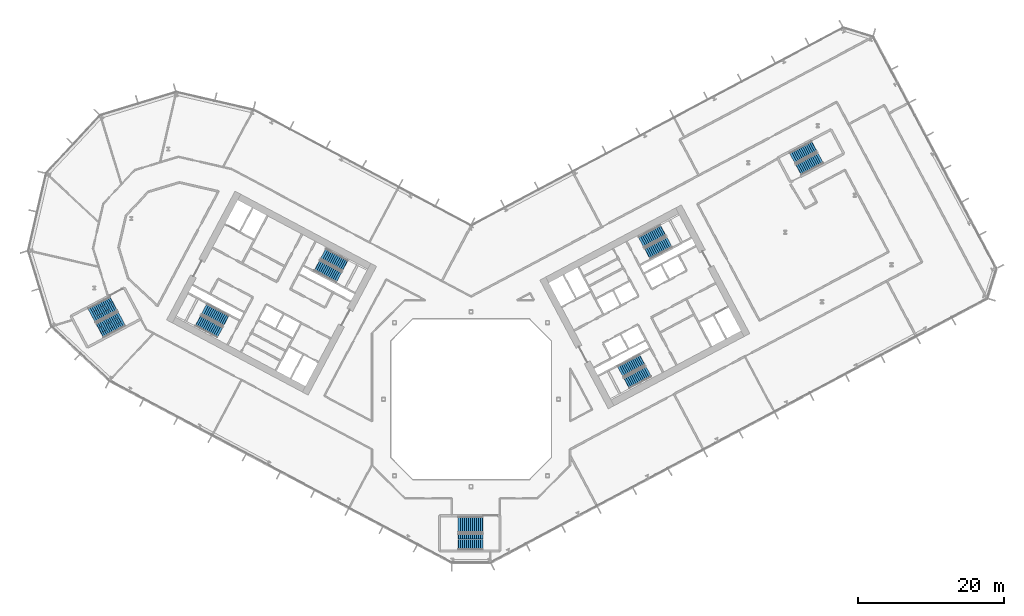
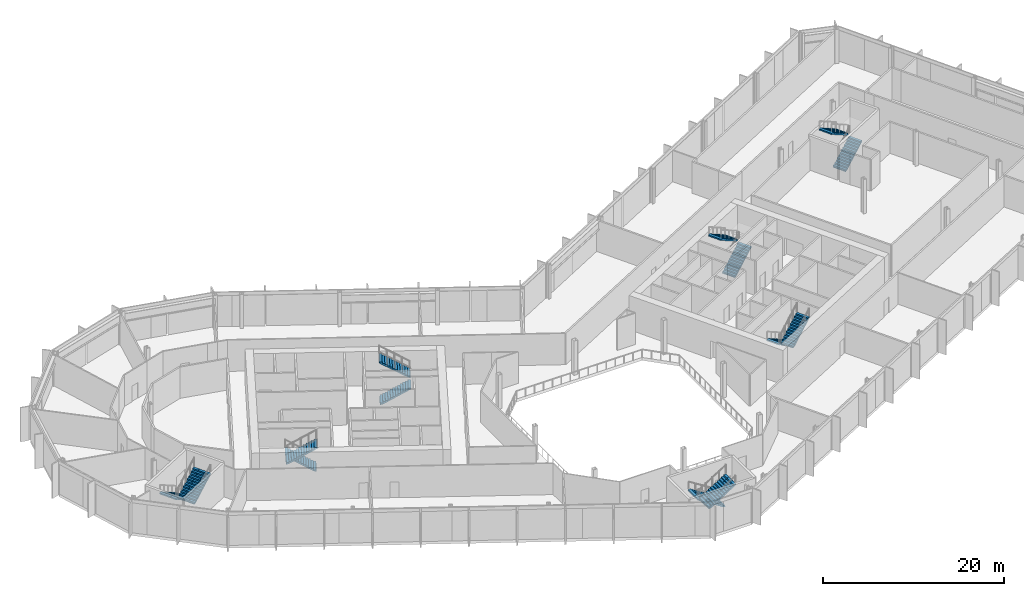
# One storey, part 19 of 30: 14 stair flights, 7 elements without a shape of their own.
"""IFC4 building model written with IfcOpenShell, lengths in metres."""

from ifc_helpers import new_model, si_unit, direction, frame, origin, place, context, subcontext, project, spatial, polyline, outline, extrude, material, type_object, element, aggregate, save


model = new_model("IFC4")

# Units and contexts
model_context = context("Model", 3, precision=1e-05, world=origin(), true_north=direction((0.0, 1.0)))
body_context = subcontext(model_context, "Body", "Model", "MODEL_VIEW")
ifc_project = project(units=[si_unit("LENGTHUNIT", "METRE"), si_unit("AREAUNIT", "SQUARE_METRE"), si_unit("VOLUMEUNIT", "CUBIC_METRE"), si_unit("PLANEANGLEUNIT", "RADIAN"), si_unit("MASSUNIT", "GRAM", prefix="KILO")], contexts=[model_context])

# Site, building, storey
site_placement = place(None, origin())
site = spatial("IfcSite", under=ifc_project, at=site_placement, CompositionType="ELEMENT")
building_placement = place(site_placement, origin())
building = spatial("IfcBuilding", under=site, at=building_placement, Name="Cormorant Relay Tower", CompositionType="ELEMENT")
storey_placement = place(building_placement, frame((0.0, 0.0, 80.0)))
storey = spatial("IfcBuildingStorey", under=building, at=storey_placement, Name="L15", CompositionType="ELEMENT", Elevation=80.0)

# Stair, stair flights
ifc_material_1 = material(Name="Concrete 40 MPa", Category="concrete")
stair_type_1 = type_object("IfcStairType", Name="Exit stair 1500", PredefinedType="HALF_TURN_STAIR", material=ifc_material_1)
stair_1_placement = place(storey_placement, origin())
stair_1 = element("IfcStair", 1, at=stair_1_placement, inside=storey, type_object=stair_type_1, Name="L15 Stair", PredefinedType="HALF_TURN_STAIR")
ifc_material_2 = material(Name="Concrete 40 MPa", Category="concrete")
stair_flight_type_1 = type_object("IfcStairFlightType", Name="Exit stair flight 1650", PredefinedType="STRAIGHT", material=ifc_material_2)
stair_flight_1_placement = place(storey_placement, frame((-21.114501953125, 18.33349609375, 0.0), z_axis=(0.0, 0.0, 1.0), x_axis=(0.882947592859, -0.469471562786, 0.0)))
stair_flight_1 = element("IfcStairFlight", 2, at=stair_flight_1_placement, type_object=stair_flight_type_1, Name="A1 flight 1", NumberOfRisers=13, NumberOfTreads=12, PredefinedType="STRAIGHT", RiserHeight=0.176923077, TreadLength=0.28, context=body_context, shape_type="SweptSolid", body=[
    extrude(outline(polyline([(-0.050048828125, -0.080078125), (-0.050048828125, 0.0), (0.0, 0.0), (0.0, 0.177001953125), (0.280029296875, 0.177001953125), (0.280029296875, 0.353759765625), (0.56005859375, 0.353759765625), (0.56005859375, 0.53076171875), (0.840087890625, 0.53076171875), (0.840087890625, 0.707763671875), (1.1201171875, 0.707763671875), (1.1201171875, 0.884521484375), (1.39990234375, 0.884521484375), (1.39990234375, 1.0615234375), (1.679931640625, 1.0615234375), (1.679931640625, 1.238525390625), (1.9599609375, 1.238525390625), (1.9599609375, 1.415283203125), (2.239990234375, 1.415283203125), (2.239990234375, 1.59228515625), (2.52001953125, 1.59228515625), (2.52001953125, 1.769287109375), (2.800048828125, 1.769287109375), (2.800048828125, 1.946044921875), (3.080078125, 1.946044921875), (3.080078125, 2.123046875), (3.360107421875, 2.123046875), (3.41015625, 2.123046875), (3.41015625, 1.94580078125), (3.360107421875, 1.94580078125), (0.280517578125, 0.0), (-0.050048828125, -0.080078125)])), frame((0.0, 0.824951171875, 0.0), z_axis=(0.0, -1.0, 0.0), x_axis=(1.0, 0.0, 0.0)), (0.0, 0.0, 1.0), 1.64990234375),
])
stair_flight_2_placement = place(storey_placement, frame((-17.302734375, 18.345458984375, 2.300048828125), z_axis=(0.0, 0.0, 1.0), x_axis=(-0.882947592859, 0.469471562786, 0.0)))
stair_flight_2 = element("IfcStairFlight", 3, at=stair_flight_2_placement, type_object=stair_flight_type_1, Name="A1 flight 2", NumberOfRisers=13, NumberOfTreads=12, PredefinedType="STRAIGHT", RiserHeight=0.176923077, TreadLength=0.28, context=body_context, shape_type="SweptSolid", body=[
    extrude(outline(polyline([(-0.050048828125, -0.080078125), (-0.050048828125, 0.0), (0.0, 0.0), (0.0, 0.177001953125), (0.280029296875, 0.177001953125), (0.280029296875, 0.353759765625), (0.56005859375, 0.353759765625), (0.56005859375, 0.53076171875), (0.840087890625, 0.53076171875), (0.840087890625, 0.707763671875), (1.1201171875, 0.707763671875), (1.1201171875, 0.884521484375), (1.39990234375, 0.884521484375), (1.39990234375, 1.0615234375), (1.679931640625, 1.0615234375), (1.679931640625, 1.238525390625), (1.9599609375, 1.238525390625), (1.9599609375, 1.415283203125), (2.239990234375, 1.415283203125), (2.239990234375, 1.59228515625), (2.52001953125, 1.59228515625), (2.52001953125, 1.769287109375), (2.800048828125, 1.769287109375), (2.800048828125, 1.946044921875), (3.080078125, 1.946044921875), (3.080078125, 2.123046875), (3.360107421875, 2.123046875), (3.41015625, 2.123046875), (3.41015625, 1.94580078125), (3.360107421875, 1.94580078125), (0.280517578125, 0.0), (-0.050048828125, -0.080078125)])), frame((0.0, 0.824951171875, 0.0), z_axis=(0.0, -1.0, 0.0), x_axis=(1.0, 0.0, 0.0)), (0.0, 0.0, 1.0), 1.64990234375),
])
aggregate(stair_1, [stair_flight_1, stair_flight_2])

stair_2_placement = place(storey_placement, origin())
stair_2 = element("IfcStair", 4, at=stair_2_placement, inside=storey, type_object=stair_type_1, Name="L15 Stair", PredefinedType="HALF_TURN_STAIR")
stair_flight_3_placement = place(storey_placement, frame((-33.62841796875, 10.773681640625, 0.0), z_axis=(0.0, 0.0, 1.0), x_axis=(-0.882947592859, 0.469471562786, 0.0)))
stair_flight_3 = element("IfcStairFlight", 5, at=stair_flight_3_placement, type_object=stair_flight_type_1, Name="A2 flight 1", NumberOfRisers=13, NumberOfTreads=12, PredefinedType="STRAIGHT", RiserHeight=0.176923077, TreadLength=0.28, context=body_context, shape_type="SweptSolid", body=[
    extrude(outline(polyline([(-0.050048828125, -0.080078125), (-0.050048828125, 0.0), (0.0, 0.0), (0.0, 0.177001953125), (0.280029296875, 0.177001953125), (0.280029296875, 0.353759765625), (0.56005859375, 0.353759765625), (0.56005859375, 0.53076171875), (0.840087890625, 0.53076171875), (0.840087890625, 0.707763671875), (1.1201171875, 0.707763671875), (1.1201171875, 0.884521484375), (1.39990234375, 0.884521484375), (1.39990234375, 1.0615234375), (1.679931640625, 1.0615234375), (1.679931640625, 1.238525390625), (1.9599609375, 1.238525390625), (1.9599609375, 1.415283203125), (2.239990234375, 1.415283203125), (2.239990234375, 1.59228515625), (2.52001953125, 1.59228515625), (2.52001953125, 1.769287109375), (2.800048828125, 1.769287109375), (2.800048828125, 1.946044921875), (3.080078125, 1.946044921875), (3.080078125, 2.123046875), (3.360107421875, 2.123046875), (3.41015625, 2.123046875), (3.41015625, 1.94580078125), (3.360107421875, 1.94580078125), (0.280517578125, 0.0), (-0.050048828125, -0.080078125)])), frame((0.0, 0.824951171875, 0.0), z_axis=(0.0, -1.0, 0.0), x_axis=(1.0, 0.0, 0.0)), (0.0, 0.0, 1.0), 1.64990234375),
])
stair_flight_4_placement = place(storey_placement, frame((-37.440185546875, 10.76171875, 2.300048828125), z_axis=(0.0, 0.0, 1.0), x_axis=(0.882947592859, -0.469471562786, 0.0)))
stair_flight_4 = element("IfcStairFlight", 6, at=stair_flight_4_placement, type_object=stair_flight_type_1, Name="A2 flight 2", NumberOfRisers=13, NumberOfTreads=12, PredefinedType="STRAIGHT", RiserHeight=0.176923077, TreadLength=0.28, context=body_context, shape_type="SweptSolid", body=[
    extrude(outline(polyline([(-0.050048828125, -0.080078125), (-0.050048828125, 0.0), (0.0, 0.0), (0.0, 0.177001953125), (0.280029296875, 0.177001953125), (0.280029296875, 0.353759765625), (0.56005859375, 0.353759765625), (0.56005859375, 0.53076171875), (0.840087890625, 0.53076171875), (0.840087890625, 0.707763671875), (1.1201171875, 0.707763671875), (1.1201171875, 0.884521484375), (1.39990234375, 0.884521484375), (1.39990234375, 1.0615234375), (1.679931640625, 1.0615234375), (1.679931640625, 1.238525390625), (1.9599609375, 1.238525390625), (1.9599609375, 1.415283203125), (2.239990234375, 1.415283203125), (2.239990234375, 1.59228515625), (2.52001953125, 1.59228515625), (2.52001953125, 1.769287109375), (2.800048828125, 1.769287109375), (2.800048828125, 1.946044921875), (3.080078125, 1.946044921875), (3.080078125, 2.123046875), (3.360107421875, 2.123046875), (3.41015625, 2.123046875), (3.41015625, 1.94580078125), (3.360107421875, 1.94580078125), (0.280517578125, 0.0), (-0.050048828125, -0.080078125)])), frame((0.0, 0.824951171875, 0.0), z_axis=(0.0, -1.0, 0.0), x_axis=(1.0, 0.0, 0.0)), (0.0, 0.0, 1.0), 1.64990234375),
])
aggregate(stair_2, [stair_flight_3, stair_flight_4])

stair_3_placement = place(storey_placement, origin())
stair_3 = element("IfcStair", 7, at=stair_3_placement, inside=storey, type_object=stair_type_1, Name="L15 Stair", PredefinedType="HALF_TURN_STAIR")
stair_flight_5_placement = place(storey_placement, frame((23.474365234375, 5.374755859375, 0.0), z_axis=(0.0, 0.0, 1.0), x_axis=(-0.882947592859, -0.469471562786, 0.0)))
stair_flight_5 = element("IfcStairFlight", 8, at=stair_flight_5_placement, type_object=stair_flight_type_1, Name="B1 flight 1", NumberOfRisers=13, NumberOfTreads=12, PredefinedType="STRAIGHT", RiserHeight=0.176923077, TreadLength=0.28, context=body_context, shape_type="SweptSolid", body=[
    extrude(outline(polyline([(-0.050048828125, -0.080078125), (-0.050048828125, 0.0), (0.0, 0.0), (0.0, 0.177001953125), (0.280029296875, 0.177001953125), (0.280029296875, 0.353759765625), (0.56005859375, 0.353759765625), (0.56005859375, 0.53076171875), (0.840087890625, 0.53076171875), (0.840087890625, 0.707763671875), (1.1201171875, 0.707763671875), (1.1201171875, 0.884521484375), (1.39990234375, 0.884521484375), (1.39990234375, 1.0615234375), (1.679931640625, 1.0615234375), (1.679931640625, 1.238525390625), (1.9599609375, 1.238525390625), (1.9599609375, 1.415283203125), (2.239990234375, 1.415283203125), (2.239990234375, 1.59228515625), (2.52001953125, 1.59228515625), (2.52001953125, 1.769287109375), (2.800048828125, 1.769287109375), (2.800048828125, 1.946044921875), (3.080078125, 1.946044921875), (3.080078125, 2.123046875), (3.360107421875, 2.123046875), (3.41015625, 2.123046875), (3.41015625, 1.94580078125), (3.360107421875, 1.94580078125), (0.280517578125, 0.0), (-0.050048828125, -0.080078125)])), frame((0.0, 0.824951171875, 0.0), z_axis=(0.0, -1.0, 0.0), x_axis=(1.0, 0.0, 0.0)), (0.0, 0.0, 1.0), 1.64990234375),
])
stair_flight_6_placement = place(storey_placement, frame((21.352783203125, 2.2080078125, 2.300048828125), z_axis=(0.0, 0.0, 1.0), x_axis=(0.882947592859, 0.469471562786, 0.0)))
stair_flight_6 = element("IfcStairFlight", 9, at=stair_flight_6_placement, type_object=stair_flight_type_1, Name="B1 flight 2", NumberOfRisers=13, NumberOfTreads=12, PredefinedType="STRAIGHT", RiserHeight=0.176923077, TreadLength=0.28, context=body_context, shape_type="SweptSolid", body=[
    extrude(outline(polyline([(-0.050048828125, -0.080078125), (-0.050048828125, 0.0), (0.0, 0.0), (0.0, 0.177001953125), (0.280029296875, 0.177001953125), (0.280029296875, 0.353759765625), (0.56005859375, 0.353759765625), (0.56005859375, 0.53076171875), (0.840087890625, 0.53076171875), (0.840087890625, 0.707763671875), (1.1201171875, 0.707763671875), (1.1201171875, 0.884521484375), (1.39990234375, 0.884521484375), (1.39990234375, 1.0615234375), (1.679931640625, 1.0615234375), (1.679931640625, 1.238525390625), (1.9599609375, 1.238525390625), (1.9599609375, 1.415283203125), (2.239990234375, 1.415283203125), (2.239990234375, 1.59228515625), (2.52001953125, 1.59228515625), (2.52001953125, 1.769287109375), (2.800048828125, 1.769287109375), (2.800048828125, 1.946044921875), (3.080078125, 1.946044921875), (3.080078125, 2.123046875), (3.360107421875, 2.123046875), (3.41015625, 2.123046875), (3.41015625, 1.94580078125), (3.360107421875, 1.94580078125), (0.280517578125, 0.0), (-0.050048828125, -0.080078125)])), frame((0.0, 0.824951171875, 0.0), z_axis=(0.0, -1.0, 0.0), x_axis=(1.0, 0.0, 0.0)), (0.0, 0.0, 1.0), 1.64990234375),
])
aggregate(stair_3, [stair_flight_5, stair_flight_6])

stair_4_placement = place(storey_placement, origin())
stair_4 = element("IfcStair", 10, at=stair_4_placement, inside=storey, type_object=stair_type_1, Name="L15 Stair", PredefinedType="HALF_TURN_STAIR")
stair_flight_7_placement = place(storey_placement, frame((24.20458984375, 19.976806640625, 0.0), z_axis=(0.0, 0.0, 1.0), x_axis=(0.882947592859, 0.469471562786, 0.0)))
stair_flight_7 = element("IfcStairFlight", 11, at=stair_flight_7_placement, type_object=stair_flight_type_1, Name="B2 flight 1", NumberOfRisers=13, NumberOfTreads=12, PredefinedType="STRAIGHT", RiserHeight=0.176923077, TreadLength=0.28, context=body_context, shape_type="SweptSolid", body=[
    extrude(outline(polyline([(-0.050048828125, -0.080078125), (-0.050048828125, 0.0), (0.0, 0.0), (0.0, 0.177001953125), (0.280029296875, 0.177001953125), (0.280029296875, 0.353759765625), (0.56005859375, 0.353759765625), (0.56005859375, 0.53076171875), (0.840087890625, 0.53076171875), (0.840087890625, 0.707763671875), (1.1201171875, 0.707763671875), (1.1201171875, 0.884521484375), (1.39990234375, 0.884521484375), (1.39990234375, 1.0615234375), (1.679931640625, 1.0615234375), (1.679931640625, 1.238525390625), (1.9599609375, 1.238525390625), (1.9599609375, 1.415283203125), (2.239990234375, 1.415283203125), (2.239990234375, 1.59228515625), (2.52001953125, 1.59228515625), (2.52001953125, 1.769287109375), (2.800048828125, 1.769287109375), (2.800048828125, 1.946044921875), (3.080078125, 1.946044921875), (3.080078125, 2.123046875), (3.360107421875, 2.123046875), (3.41015625, 2.123046875), (3.41015625, 1.94580078125), (3.360107421875, 1.94580078125), (0.280517578125, 0.0), (-0.050048828125, -0.080078125)])), frame((0.0, 0.824951171875, 0.0), z_axis=(0.0, -1.0, 0.0), x_axis=(1.0, 0.0, 0.0)), (0.0, 0.0, 1.0), 1.64990234375),
])
stair_flight_8_placement = place(storey_placement, frame((26.326416015625, 23.1435546875, 2.300048828125), z_axis=(0.0, 0.0, 1.0), x_axis=(-0.882947592859, -0.469471562786, 0.0)))
stair_flight_8 = element("IfcStairFlight", 12, at=stair_flight_8_placement, type_object=stair_flight_type_1, Name="B2 flight 2", NumberOfRisers=13, NumberOfTreads=12, PredefinedType="STRAIGHT", RiserHeight=0.176923077, TreadLength=0.28, context=body_context, shape_type="SweptSolid", body=[
    extrude(outline(polyline([(-0.050048828125, -0.080078125), (-0.050048828125, 0.0), (0.0, 0.0), (0.0, 0.177001953125), (0.280029296875, 0.177001953125), (0.280029296875, 0.353759765625), (0.56005859375, 0.353759765625), (0.56005859375, 0.53076171875), (0.840087890625, 0.53076171875), (0.840087890625, 0.707763671875), (1.1201171875, 0.707763671875), (1.1201171875, 0.884521484375), (1.39990234375, 0.884521484375), (1.39990234375, 1.0615234375), (1.679931640625, 1.0615234375), (1.679931640625, 1.238525390625), (1.9599609375, 1.238525390625), (1.9599609375, 1.415283203125), (2.239990234375, 1.415283203125), (2.239990234375, 1.59228515625), (2.52001953125, 1.59228515625), (2.52001953125, 1.769287109375), (2.800048828125, 1.769287109375), (2.800048828125, 1.946044921875), (3.080078125, 1.946044921875), (3.080078125, 2.123046875), (3.360107421875, 2.123046875), (3.41015625, 2.123046875), (3.41015625, 1.94580078125), (3.360107421875, 1.94580078125), (0.280517578125, 0.0), (-0.050048828125, -0.080078125)])), frame((0.0, 0.824951171875, 0.0), z_axis=(0.0, -1.0, 0.0), x_axis=(1.0, 0.0, 0.0)), (0.0, 0.0, 1.0), 1.64990234375),
])
aggregate(stair_4, [stair_flight_7, stair_flight_8])

stair_5_placement = place(storey_placement, origin())
stair_5 = element("IfcStair", 13, at=stair_5_placement, inside=storey, type_object=stair_type_1, Name="L15 Stair", PredefinedType="HALF_TURN_STAIR")
stair_flight_9_placement = place(storey_placement, frame((44.947509765625, 31.502197265625, 0.0), z_axis=(0.0, 0.0, 1.0), x_axis=(0.882947502727, 0.4694717323, 0.0)))
stair_flight_9 = element("IfcStairFlight", 14, at=stair_flight_9_placement, type_object=stair_flight_type_1, Name="RB1 flight 1", NumberOfRisers=13, NumberOfTreads=12, PredefinedType="STRAIGHT", RiserHeight=0.176923077, TreadLength=0.28, context=body_context, shape_type="SweptSolid", body=[
    extrude(outline(polyline([(-0.050048828125, -0.080078125), (-0.050048828125, 0.0), (0.0, 0.0), (0.0, 0.177001953125), (0.280029296875, 0.177001953125), (0.280029296875, 0.353759765625), (0.56005859375, 0.353759765625), (0.56005859375, 0.53076171875), (0.840087890625, 0.53076171875), (0.840087890625, 0.707763671875), (1.1201171875, 0.707763671875), (1.1201171875, 0.884521484375), (1.39990234375, 0.884521484375), (1.39990234375, 1.0615234375), (1.679931640625, 1.0615234375), (1.679931640625, 1.238525390625), (1.9599609375, 1.238525390625), (1.9599609375, 1.415283203125), (2.239990234375, 1.415283203125), (2.239990234375, 1.59228515625), (2.52001953125, 1.59228515625), (2.52001953125, 1.769287109375), (2.800048828125, 1.769287109375), (2.800048828125, 1.946044921875), (3.080078125, 1.946044921875), (3.080078125, 2.123046875), (3.360107421875, 2.123046875), (3.41015625, 2.123046875), (3.41015625, 1.94580078125), (3.360107421875, 1.94580078125), (0.280517578125, 0.0), (-0.050048828125, -0.080078125)])), frame((0.0, 0.824951171875, 0.0), z_axis=(0.0, -1.0, 0.0), x_axis=(1.0, 0.0, 0.0)), (0.0, 0.0, 1.0), 1.64990234375),
])
stair_flight_10_placement = place(storey_placement, frame((47.0693359375, 34.668701171875, 2.300048828125), z_axis=(0.0, 0.0, 1.0), x_axis=(-0.882947502727, -0.4694717323, 0.0)))
stair_flight_10 = element("IfcStairFlight", 15, at=stair_flight_10_placement, type_object=stair_flight_type_1, Name="RB1 flight 2", NumberOfRisers=13, NumberOfTreads=12, PredefinedType="STRAIGHT", RiserHeight=0.176923077, TreadLength=0.28, context=body_context, shape_type="SweptSolid", body=[
    extrude(outline(polyline([(-0.050048828125, -0.080078125), (-0.050048828125, 0.0), (0.0, 0.0), (0.0, 0.177001953125), (0.280029296875, 0.177001953125), (0.280029296875, 0.353759765625), (0.56005859375, 0.353759765625), (0.56005859375, 0.53076171875), (0.840087890625, 0.53076171875), (0.840087890625, 0.707763671875), (1.1201171875, 0.707763671875), (1.1201171875, 0.884521484375), (1.39990234375, 0.884521484375), (1.39990234375, 1.0615234375), (1.679931640625, 1.0615234375), (1.679931640625, 1.238525390625), (1.9599609375, 1.238525390625), (1.9599609375, 1.415283203125), (2.239990234375, 1.415283203125), (2.239990234375, 1.59228515625), (2.52001953125, 1.59228515625), (2.52001953125, 1.769287109375), (2.800048828125, 1.769287109375), (2.800048828125, 1.946044921875), (3.080078125, 1.946044921875), (3.080078125, 2.123046875), (3.360107421875, 2.123046875), (3.41015625, 2.123046875), (3.41015625, 1.94580078125), (3.360107421875, 1.94580078125), (0.280517578125, 0.0), (-0.050048828125, -0.080078125)])), frame((0.0, 0.824951171875, 0.0), z_axis=(0.0, -1.0, 0.0), x_axis=(1.0, 0.0, 0.0)), (0.0, 0.0, 1.0), 1.64990234375),
])
aggregate(stair_5, [stair_flight_9, stair_flight_10])

ifc_material_3 = material(Name="Concrete 40 MPa", Category="concrete")
stair_type_2 = type_object("IfcStairType", Name="Remote exit stair 2200", PredefinedType="HALF_TURN_STAIR", material=ifc_material_3)
stair_6_placement = place(storey_placement, origin())
stair_6 = element("IfcStair", 16, at=stair_6_placement, inside=storey, type_object=stair_type_2, Name="L15 Stair", PredefinedType="HALF_TURN_STAIR")
ifc_material_4 = material(Name="Concrete 40 MPa", Category="concrete")
stair_flight_type_2 = type_object("IfcStairFlightType", Name="Remote exit stair flight 2200", PredefinedType="STRAIGHT", material=ifc_material_4)
stair_flight_11_placement = place(storey_placement, frame((1.60009765625, -17.22509765625, 0.0), z_axis=(0.0, 0.0, 1.0), x_axis=(-1.0, 0.0, 0.0)))
stair_flight_11 = element("IfcStairFlight", 17, at=stair_flight_11_placement, type_object=stair_flight_type_2, Name="RK1 flight 1", NumberOfRisers=13, NumberOfTreads=12, PredefinedType="STRAIGHT", RiserHeight=0.176923077, TreadLength=0.28, context=body_context, shape_type="SweptSolid", body=[
    extrude(outline(polyline([(-0.050048828125, -0.080078125), (-0.050048828125, 0.0), (0.0, 0.0), (0.0, 0.177001953125), (0.280029296875, 0.177001953125), (0.280029296875, 0.353759765625), (0.56005859375, 0.353759765625), (0.56005859375, 0.53076171875), (0.840087890625, 0.53076171875), (0.840087890625, 0.707763671875), (1.1201171875, 0.707763671875), (1.1201171875, 0.884521484375), (1.39990234375, 0.884521484375), (1.39990234375, 1.0615234375), (1.679931640625, 1.0615234375), (1.679931640625, 1.238525390625), (1.9599609375, 1.238525390625), (1.9599609375, 1.415283203125), (2.239990234375, 1.415283203125), (2.239990234375, 1.59228515625), (2.52001953125, 1.59228515625), (2.52001953125, 1.769287109375), (2.800048828125, 1.769287109375), (2.800048828125, 1.946044921875), (3.080078125, 1.946044921875), (3.080078125, 2.123046875), (3.360107421875, 2.123046875), (3.41015625, 2.123046875), (3.41015625, 1.94580078125), (3.360107421875, 1.94580078125), (0.280517578125, 0.0), (-0.050048828125, -0.080078125)])), frame((0.0, 1.10009765625, 0.0), z_axis=(0.0, -1.0, 0.0), x_axis=(1.0, 0.0, 0.0)), (0.0, 0.0, 1.0), 0.719970703125),
    extrude(outline(polyline([(-0.050048828125, -0.080078125), (-0.050048828125, 0.0), (0.0, 0.0), (0.0, 0.177001953125), (0.280029296875, 0.177001953125), (0.280029296875, 0.353759765625), (0.56005859375, 0.353759765625), (0.56005859375, 0.53076171875), (0.840087890625, 0.53076171875), (0.840087890625, 0.707763671875), (1.1201171875, 0.707763671875), (1.1201171875, 0.884521484375), (1.39990234375, 0.884521484375), (1.39990234375, 1.0615234375), (1.679931640625, 1.0615234375), (1.679931640625, 1.238525390625), (1.9599609375, 1.238525390625), (1.9599609375, 1.415283203125), (2.239990234375, 1.415283203125), (2.239990234375, 1.59228515625), (2.52001953125, 1.59228515625), (2.52001953125, 1.769287109375), (2.800048828125, 1.769287109375), (2.800048828125, 1.946044921875), (3.080078125, 1.946044921875), (3.080078125, 2.123046875), (3.360107421875, 2.123046875), (3.41015625, 2.123046875), (3.41015625, 1.94580078125), (3.360107421875, 1.94580078125), (0.280517578125, 0.0), (-0.050048828125, -0.080078125)])), frame((0.0, 0.360107421875, 0.0), z_axis=(0.0, -1.0, 0.0), x_axis=(1.0, 0.0, 0.0)), (0.0, 0.0, 1.0), 0.719970703125),
    extrude(outline(polyline([(-0.050048828125, -0.080078125), (-0.050048828125, 0.0), (0.0, 0.0), (0.0, 0.177001953125), (0.280029296875, 0.177001953125), (0.280029296875, 0.353759765625), (0.56005859375, 0.353759765625), (0.56005859375, 0.53076171875), (0.840087890625, 0.53076171875), (0.840087890625, 0.707763671875), (1.1201171875, 0.707763671875), (1.1201171875, 0.884521484375), (1.39990234375, 0.884521484375), (1.39990234375, 1.0615234375), (1.679931640625, 1.0615234375), (1.679931640625, 1.238525390625), (1.9599609375, 1.238525390625), (1.9599609375, 1.415283203125), (2.239990234375, 1.415283203125), (2.239990234375, 1.59228515625), (2.52001953125, 1.59228515625), (2.52001953125, 1.769287109375), (2.800048828125, 1.769287109375), (2.800048828125, 1.946044921875), (3.080078125, 1.946044921875), (3.080078125, 2.123046875), (3.360107421875, 2.123046875), (3.41015625, 2.123046875), (3.41015625, 1.94580078125), (3.360107421875, 1.94580078125), (0.280517578125, 0.0), (-0.050048828125, -0.080078125)])), frame((0.0, -0.3798828125, 0.0), z_axis=(0.0, -1.0, 0.0), x_axis=(1.0, 0.0, 0.0)), (0.0, 0.0, 1.0), 0.719970703125),
])
stair_flight_12_placement = place(storey_placement, frame((-1.760009765625, -19.574951171875, 2.300048828125), z_axis=(0.0, 0.0, 1.0), x_axis=(1.0, 0.0, 0.0)))
stair_flight_12 = element("IfcStairFlight", 18, at=stair_flight_12_placement, type_object=stair_flight_type_2, Name="RK1 flight 2", NumberOfRisers=13, NumberOfTreads=12, PredefinedType="STRAIGHT", RiserHeight=0.176923077, TreadLength=0.28, context=body_context, shape_type="SweptSolid", body=[
    extrude(outline(polyline([(-0.050048828125, -0.080078125), (-0.050048828125, 0.0), (0.0, 0.0), (0.0, 0.177001953125), (0.280029296875, 0.177001953125), (0.280029296875, 0.353759765625), (0.56005859375, 0.353759765625), (0.56005859375, 0.53076171875), (0.840087890625, 0.53076171875), (0.840087890625, 0.707763671875), (1.1201171875, 0.707763671875), (1.1201171875, 0.884521484375), (1.39990234375, 0.884521484375), (1.39990234375, 1.0615234375), (1.679931640625, 1.0615234375), (1.679931640625, 1.238525390625), (1.9599609375, 1.238525390625), (1.9599609375, 1.415283203125), (2.239990234375, 1.415283203125), (2.239990234375, 1.59228515625), (2.52001953125, 1.59228515625), (2.52001953125, 1.769287109375), (2.800048828125, 1.769287109375), (2.800048828125, 1.946044921875), (3.080078125, 1.946044921875), (3.080078125, 2.123046875), (3.360107421875, 2.123046875), (3.41015625, 2.123046875), (3.41015625, 1.94580078125), (3.360107421875, 1.94580078125), (0.280517578125, 0.0), (-0.050048828125, -0.080078125)])), frame((0.0, 1.10009765625, 0.0), z_axis=(0.0, -1.0, 0.0), x_axis=(1.0, 0.0, 0.0)), (0.0, 0.0, 1.0), 0.719970703125),
    extrude(outline(polyline([(-0.050048828125, -0.080078125), (-0.050048828125, 0.0), (0.0, 0.0), (0.0, 0.177001953125), (0.280029296875, 0.177001953125), (0.280029296875, 0.353759765625), (0.56005859375, 0.353759765625), (0.56005859375, 0.53076171875), (0.840087890625, 0.53076171875), (0.840087890625, 0.707763671875), (1.1201171875, 0.707763671875), (1.1201171875, 0.884521484375), (1.39990234375, 0.884521484375), (1.39990234375, 1.0615234375), (1.679931640625, 1.0615234375), (1.679931640625, 1.238525390625), (1.9599609375, 1.238525390625), (1.9599609375, 1.415283203125), (2.239990234375, 1.415283203125), (2.239990234375, 1.59228515625), (2.52001953125, 1.59228515625), (2.52001953125, 1.769287109375), (2.800048828125, 1.769287109375), (2.800048828125, 1.946044921875), (3.080078125, 1.946044921875), (3.080078125, 2.123046875), (3.360107421875, 2.123046875), (3.41015625, 2.123046875), (3.41015625, 1.94580078125), (3.360107421875, 1.94580078125), (0.280517578125, 0.0), (-0.050048828125, -0.080078125)])), frame((0.0, 0.360107421875, 0.0), z_axis=(0.0, -1.0, 0.0), x_axis=(1.0, 0.0, 0.0)), (0.0, 0.0, 1.0), 0.719970703125),
    extrude(outline(polyline([(-0.050048828125, -0.080078125), (-0.050048828125, 0.0), (0.0, 0.0), (0.0, 0.177001953125), (0.280029296875, 0.177001953125), (0.280029296875, 0.353759765625), (0.56005859375, 0.353759765625), (0.56005859375, 0.53076171875), (0.840087890625, 0.53076171875), (0.840087890625, 0.707763671875), (1.1201171875, 0.707763671875), (1.1201171875, 0.884521484375), (1.39990234375, 0.884521484375), (1.39990234375, 1.0615234375), (1.679931640625, 1.0615234375), (1.679931640625, 1.238525390625), (1.9599609375, 1.238525390625), (1.9599609375, 1.415283203125), (2.239990234375, 1.415283203125), (2.239990234375, 1.59228515625), (2.52001953125, 1.59228515625), (2.52001953125, 1.769287109375), (2.800048828125, 1.769287109375), (2.800048828125, 1.946044921875), (3.080078125, 1.946044921875), (3.080078125, 2.123046875), (3.360107421875, 2.123046875), (3.41015625, 2.123046875), (3.41015625, 1.94580078125), (3.360107421875, 1.94580078125), (0.280517578125, 0.0), (-0.050048828125, -0.080078125)])), frame((0.0, -0.3798828125, 0.0), z_axis=(0.0, -1.0, 0.0), x_axis=(1.0, 0.0, 0.0)), (0.0, 0.0, 1.0), 0.719970703125),
])
aggregate(stair_6, [stair_flight_11, stair_flight_12])

stair_7_placement = place(storey_placement, origin())
stair_7 = element("IfcStair", 19, at=stair_7_placement, inside=storey, type_object=stair_type_2, Name="L15 Stair", PredefinedType="HALF_TURN_STAIR")
stair_flight_13_placement = place(storey_placement, frame((-49.062255859375, 13.08251953125, 0.0), z_axis=(0.0, 0.0, 1.0), x_axis=(-0.882947502727, -0.4694717323, 0.0)))
stair_flight_13 = element("IfcStairFlight", 20, at=stair_flight_13_placement, type_object=stair_flight_type_2, Name="RP1 flight 1", NumberOfRisers=13, NumberOfTreads=12, PredefinedType="STRAIGHT", RiserHeight=0.176923077, TreadLength=0.28, context=body_context, shape_type="SweptSolid", body=[
    extrude(outline(polyline([(-0.050048828125, -0.080078125), (-0.050048828125, 0.0), (0.0, 0.0), (0.0, 0.177001953125), (0.280029296875, 0.177001953125), (0.280029296875, 0.353759765625), (0.56005859375, 0.353759765625), (0.56005859375, 0.53076171875), (0.840087890625, 0.53076171875), (0.840087890625, 0.707763671875), (1.1201171875, 0.707763671875), (1.1201171875, 0.884521484375), (1.39990234375, 0.884521484375), (1.39990234375, 1.0615234375), (1.679931640625, 1.0615234375), (1.679931640625, 1.238525390625), (1.9599609375, 1.238525390625), (1.9599609375, 1.415283203125), (2.239990234375, 1.415283203125), (2.239990234375, 1.59228515625), (2.52001953125, 1.59228515625), (2.52001953125, 1.769287109375), (2.800048828125, 1.769287109375), (2.800048828125, 1.946044921875), (3.080078125, 1.946044921875), (3.080078125, 2.123046875), (3.360107421875, 2.123046875), (3.41015625, 2.123046875), (3.41015625, 1.94580078125), (3.360107421875, 1.94580078125), (0.280517578125, 0.0), (-0.050048828125, -0.080078125)])), frame((0.0, 1.10009765625, 0.0), z_axis=(0.0, -1.0, 0.0), x_axis=(1.0, 0.0, 0.0)), (0.0, 0.0, 1.0), 0.719970703125),
    extrude(outline(polyline([(-0.050048828125, -0.080078125), (-0.050048828125, 0.0), (0.0, 0.0), (0.0, 0.177001953125), (0.280029296875, 0.177001953125), (0.280029296875, 0.353759765625), (0.56005859375, 0.353759765625), (0.56005859375, 0.53076171875), (0.840087890625, 0.53076171875), (0.840087890625, 0.707763671875), (1.1201171875, 0.707763671875), (1.1201171875, 0.884521484375), (1.39990234375, 0.884521484375), (1.39990234375, 1.0615234375), (1.679931640625, 1.0615234375), (1.679931640625, 1.238525390625), (1.9599609375, 1.238525390625), (1.9599609375, 1.415283203125), (2.239990234375, 1.415283203125), (2.239990234375, 1.59228515625), (2.52001953125, 1.59228515625), (2.52001953125, 1.769287109375), (2.800048828125, 1.769287109375), (2.800048828125, 1.946044921875), (3.080078125, 1.946044921875), (3.080078125, 2.123046875), (3.360107421875, 2.123046875), (3.41015625, 2.123046875), (3.41015625, 1.94580078125), (3.360107421875, 1.94580078125), (0.280517578125, 0.0), (-0.050048828125, -0.080078125)])), frame((0.0, 0.360107421875, 0.0), z_axis=(0.0, -1.0, 0.0), x_axis=(1.0, 0.0, 0.0)), (0.0, 0.0, 1.0), 0.719970703125),
    extrude(outline(polyline([(-0.050048828125, -0.080078125), (-0.050048828125, 0.0), (0.0, 0.0), (0.0, 0.177001953125), (0.280029296875, 0.177001953125), (0.280029296875, 0.353759765625), (0.56005859375, 0.353759765625), (0.56005859375, 0.53076171875), (0.840087890625, 0.53076171875), (0.840087890625, 0.707763671875), (1.1201171875, 0.707763671875), (1.1201171875, 0.884521484375), (1.39990234375, 0.884521484375), (1.39990234375, 1.0615234375), (1.679931640625, 1.0615234375), (1.679931640625, 1.238525390625), (1.9599609375, 1.238525390625), (1.9599609375, 1.415283203125), (2.239990234375, 1.415283203125), (2.239990234375, 1.59228515625), (2.52001953125, 1.59228515625), (2.52001953125, 1.769287109375), (2.800048828125, 1.769287109375), (2.800048828125, 1.946044921875), (3.080078125, 1.946044921875), (3.080078125, 2.123046875), (3.360107421875, 2.123046875), (3.41015625, 2.123046875), (3.41015625, 1.94580078125), (3.360107421875, 1.94580078125), (0.280517578125, 0.0), (-0.050048828125, -0.080078125)])), frame((0.0, -0.3798828125, 0.0), z_axis=(0.0, -1.0, 0.0), x_axis=(1.0, 0.0, 0.0)), (0.0, 0.0, 1.0), 0.719970703125),
])
stair_flight_14_placement = place(storey_placement, frame((-50.92578125, 9.43017578125, 2.300048828125), z_axis=(0.0, 0.0, 1.0), x_axis=(0.882947502727, 0.4694717323, 0.0)))
stair_flight_14 = element("IfcStairFlight", 21, at=stair_flight_14_placement, type_object=stair_flight_type_2, Name="RP1 flight 2", NumberOfRisers=13, NumberOfTreads=12, PredefinedType="STRAIGHT", RiserHeight=0.176923077, TreadLength=0.28, context=body_context, shape_type="SweptSolid", body=[
    extrude(outline(polyline([(-0.050048828125, -0.080078125), (-0.050048828125, 0.0), (0.0, 0.0), (0.0, 0.177001953125), (0.280029296875, 0.177001953125), (0.280029296875, 0.353759765625), (0.56005859375, 0.353759765625), (0.56005859375, 0.53076171875), (0.840087890625, 0.53076171875), (0.840087890625, 0.707763671875), (1.1201171875, 0.707763671875), (1.1201171875, 0.884521484375), (1.39990234375, 0.884521484375), (1.39990234375, 1.0615234375), (1.679931640625, 1.0615234375), (1.679931640625, 1.238525390625), (1.9599609375, 1.238525390625), (1.9599609375, 1.415283203125), (2.239990234375, 1.415283203125), (2.239990234375, 1.59228515625), (2.52001953125, 1.59228515625), (2.52001953125, 1.769287109375), (2.800048828125, 1.769287109375), (2.800048828125, 1.946044921875), (3.080078125, 1.946044921875), (3.080078125, 2.123046875), (3.360107421875, 2.123046875), (3.41015625, 2.123046875), (3.41015625, 1.94580078125), (3.360107421875, 1.94580078125), (0.280517578125, 0.0), (-0.050048828125, -0.080078125)])), frame((0.0, 1.10009765625, 0.0), z_axis=(0.0, -1.0, 0.0), x_axis=(1.0, 0.0, 0.0)), (0.0, 0.0, 1.0), 0.719970703125),
    extrude(outline(polyline([(-0.050048828125, -0.080078125), (-0.050048828125, 0.0), (0.0, 0.0), (0.0, 0.177001953125), (0.280029296875, 0.177001953125), (0.280029296875, 0.353759765625), (0.56005859375, 0.353759765625), (0.56005859375, 0.53076171875), (0.840087890625, 0.53076171875), (0.840087890625, 0.707763671875), (1.1201171875, 0.707763671875), (1.1201171875, 0.884521484375), (1.39990234375, 0.884521484375), (1.39990234375, 1.0615234375), (1.679931640625, 1.0615234375), (1.679931640625, 1.238525390625), (1.9599609375, 1.238525390625), (1.9599609375, 1.415283203125), (2.239990234375, 1.415283203125), (2.239990234375, 1.59228515625), (2.52001953125, 1.59228515625), (2.52001953125, 1.769287109375), (2.800048828125, 1.769287109375), (2.800048828125, 1.946044921875), (3.080078125, 1.946044921875), (3.080078125, 2.123046875), (3.360107421875, 2.123046875), (3.41015625, 2.123046875), (3.41015625, 1.94580078125), (3.360107421875, 1.94580078125), (0.280517578125, 0.0), (-0.050048828125, -0.080078125)])), frame((0.0, 0.360107421875, 0.0), z_axis=(0.0, -1.0, 0.0), x_axis=(1.0, 0.0, 0.0)), (0.0, 0.0, 1.0), 0.719970703125),
    extrude(outline(polyline([(-0.050048828125, -0.080078125), (-0.050048828125, 0.0), (0.0, 0.0), (0.0, 0.177001953125), (0.280029296875, 0.177001953125), (0.280029296875, 0.353759765625), (0.56005859375, 0.353759765625), (0.56005859375, 0.53076171875), (0.840087890625, 0.53076171875), (0.840087890625, 0.707763671875), (1.1201171875, 0.707763671875), (1.1201171875, 0.884521484375), (1.39990234375, 0.884521484375), (1.39990234375, 1.0615234375), (1.679931640625, 1.0615234375), (1.679931640625, 1.238525390625), (1.9599609375, 1.238525390625), (1.9599609375, 1.415283203125), (2.239990234375, 1.415283203125), (2.239990234375, 1.59228515625), (2.52001953125, 1.59228515625), (2.52001953125, 1.769287109375), (2.800048828125, 1.769287109375), (2.800048828125, 1.946044921875), (3.080078125, 1.946044921875), (3.080078125, 2.123046875), (3.360107421875, 2.123046875), (3.41015625, 2.123046875), (3.41015625, 1.94580078125), (3.360107421875, 1.94580078125), (0.280517578125, 0.0), (-0.050048828125, -0.080078125)])), frame((0.0, -0.3798828125, 0.0), z_axis=(0.0, -1.0, 0.0), x_axis=(1.0, 0.0, 0.0)), (0.0, 0.0, 1.0), 0.719970703125),
])
aggregate(stair_7, [stair_flight_13, stair_flight_14])

save(model, "model.ifc")
